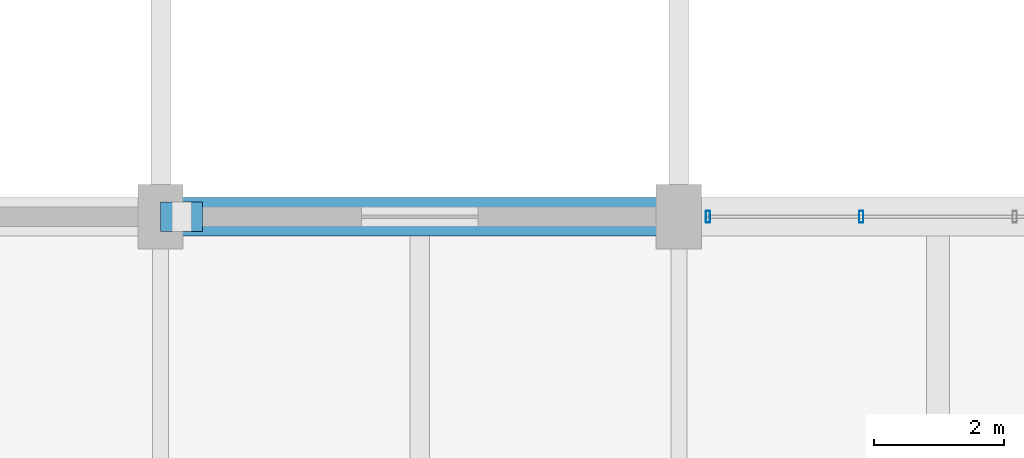
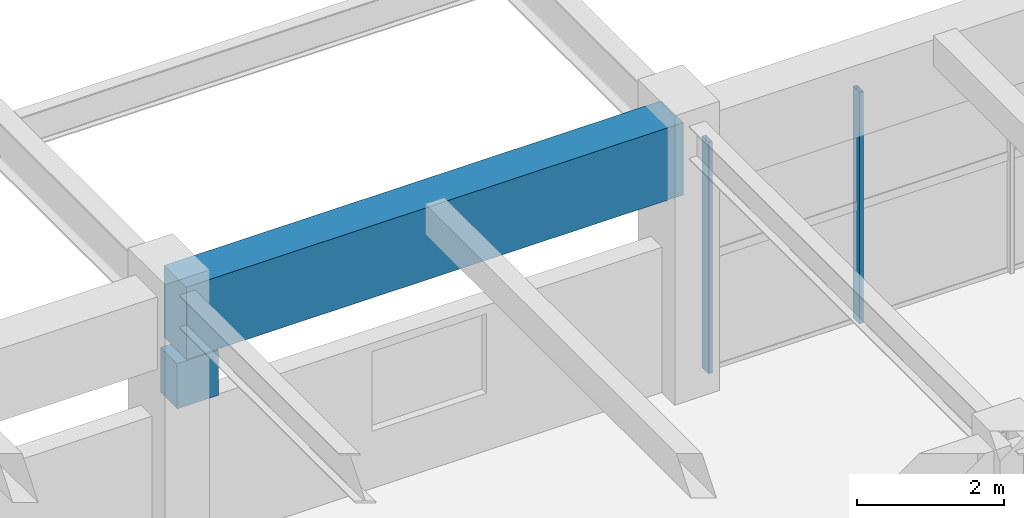
# One storey, part 24 of 144: 2 beams, 2 members, 1 element without a shape of its own.
"""IFC4 building model written with IfcOpenShell, lengths in metres."""

from ifc_helpers import new_model, si_unit, direction, frame, origin, origin_2d, place, context, subcontext, project, spatial, rectangle, hollow_rectangle, extrude, material, material_profile, profile_set, type_object, element, aggregate, save


model = new_model("IFC4")

# Units and contexts
model_context = context("Model", 3, precision=1e-05, world=origin(), true_north=direction((0.0, 1.0)))
body_context = subcontext(model_context, "Body", "Model", "MODEL_VIEW")
ifc_project = project(units=[si_unit("LENGTHUNIT", "METRE"), si_unit("AREAUNIT", "SQUARE_METRE"), si_unit("VOLUMEUNIT", "CUBIC_METRE"), si_unit("PLANEANGLEUNIT", "RADIAN"), si_unit("MASSUNIT", "GRAM", prefix="KILO")], contexts=[model_context])

# Site, building, storey
site_placement = place(None, origin())
site = spatial("IfcSite", under=ifc_project, at=site_placement, CompositionType="ELEMENT")
building_placement = place(site_placement, origin())
building = spatial("IfcBuilding", under=site, at=building_placement, Name="Varnabhumi Central Station", CompositionType="ELEMENT")
storey_placement = place(building_placement, frame((0.0, 0.0, 4.800048828125)))
storey = spatial("IfcBuildingStorey", under=building, at=storey_placement, Name="L01", CompositionType="ELEMENT", Elevation=4.800048828125)

# Beams
ifc_material_1 = material(Name="Concrete M50", Category="concrete")
ifc_material_profile_1 = material_profile(ifc_material_1, rectangle(XDim=0.60009765625, YDim=1.199951171875, at=origin_2d()), Name="Concrete M50", Category="concrete")
ifc_profile_set_1 = profile_set([ifc_material_profile_1], Name="Concrete M50")
beam_type_1 = type_object("IfcBeamType", Name="BM-RC-1200x600", PredefinedType="BEAM", material=ifc_profile_set_1)
beam_1_placement = place(storey_placement, frame((64.10009765625, 36.0, 3.8798828125), z_axis=(1.0, 0.0, 0.0), x_axis=(0.0, 1.0, 0.0)))
element("IfcBeam", 1, at=beam_1_placement, inside=storey, type_object=beam_type_1, Name="Beam L01-E:9-10", PredefinedType="BEAM", context=body_context, shape_type="SweptSolid", body=[
    extrude(rectangle(XDim=0.60009765625, YDim=1.199951171875, at=origin_2d()), origin(), (0.0, 0.0, 1.0), 7.7998046875),
])
ifc_material_2 = material(Name="Concrete M40", Category="concrete")
ifc_material_profile_2 = material_profile(ifc_material_2, rectangle(XDim=0.449951171875, YDim=0.75, at=origin_2d()), Name="Concrete M40", Category="concrete")
ifc_profile_set_2 = profile_set([ifc_material_profile_2], Name="Concrete M40")
beam_type_2 = type_object("IfcBeamType", Name="BM-RC-450x750", PredefinedType="BEAM", material=ifc_profile_set_2)
beam_2_placement = place(storey_placement, frame((64.0, 36.0, 2.824951171875), z_axis=(1.0, 0.0, 0.0), x_axis=(0.0, 1.0, 0.0)))
element("IfcBeam", 2, at=beam_2_placement, inside=storey, type_object=beam_type_2, Name="Movement Joint 650mm Corbel Seat L01-E-9", PredefinedType="BEAM", context=body_context, shape_type="SweptSolid", body=[
    extrude(rectangle(XDim=0.449951171875, YDim=0.75, at=origin_2d()), origin(), (0.0, 0.0, 1.0), 0.64990234375),
])

# Curtain wall, members
ifc_material_3 = material(Name="Anodised aluminium 6063-T6", Category="aluminium")
curtain_wall_type = type_object("IfcCurtainWallType", Name="CW-SPINE-SCREEN-L0", PredefinedType="NOTDEFINED", material=ifc_material_3)
curtain_wall_placement = place(storey_placement, origin())
curtain_wall = element("IfcCurtainWall", 3, at=curtain_wall_placement, inside=storey, type_object=curtain_wall_type, Name="Curtain Wall CW-SS109", PredefinedType="NOTDEFINED")
ifc_material_profile_3 = material_profile(ifc_material_3, hollow_rectangle(XDim=0.06494140625, YDim=0.179931640625, WallThickness=0.00390625, InnerFilletRadius=0.001953125, OuterFilletRadius=0.006103515625, at=origin_2d()), Name="Anodised aluminium 6063-T6", Category="aluminium")
ifc_profile_set_3 = profile_set([ifc_material_profile_3], Name="Anodised aluminium 6063-T6")
member_type = type_object("IfcMemberType", Name="CW-MUL-180", PredefinedType="MULLION", material=ifc_profile_set_3)
member_1_placement = place(storey_placement, frame((72.449951171875, 36.0, 0.0), z_axis=(0.0, 0.0, 1.0), x_axis=(1.0, 0.0, 0.0)))
member_1 = element("IfcMember", 4, at=member_1_placement, type_object=member_type, Name="Curtain Wall Mullion CW-SS109-M1", PredefinedType="MULLION", context=body_context, shape_type="SweptSolid", body=[
    extrude(hollow_rectangle(XDim=0.06494140625, YDim=0.179931640625, WallThickness=0.00390625, InnerFilletRadius=0.001953125, OuterFilletRadius=0.006103515625, at=origin_2d()), origin(), (0.0, 0.0, 1.0), 3.83984375),
])
member_2_placement = place(storey_placement, frame((74.816650390625, 36.0, 0.0), z_axis=(0.0, 0.0, 1.0), x_axis=(1.0, 0.0, 0.0)))
member_2 = element("IfcMember", 5, at=member_2_placement, type_object=member_type, Name="Curtain Wall Mullion CW-SS109-M2", PredefinedType="MULLION", context=body_context, shape_type="SweptSolid", body=[
    extrude(hollow_rectangle(XDim=0.06494140625, YDim=0.179931640625, WallThickness=0.00390625, InnerFilletRadius=0.001953125, OuterFilletRadius=0.006103515625, at=origin_2d()), origin(), (0.0, 0.0, 1.0), 3.83984375),
])
aggregate(curtain_wall, [member_1, member_2])

save(model, "model.ifc")
